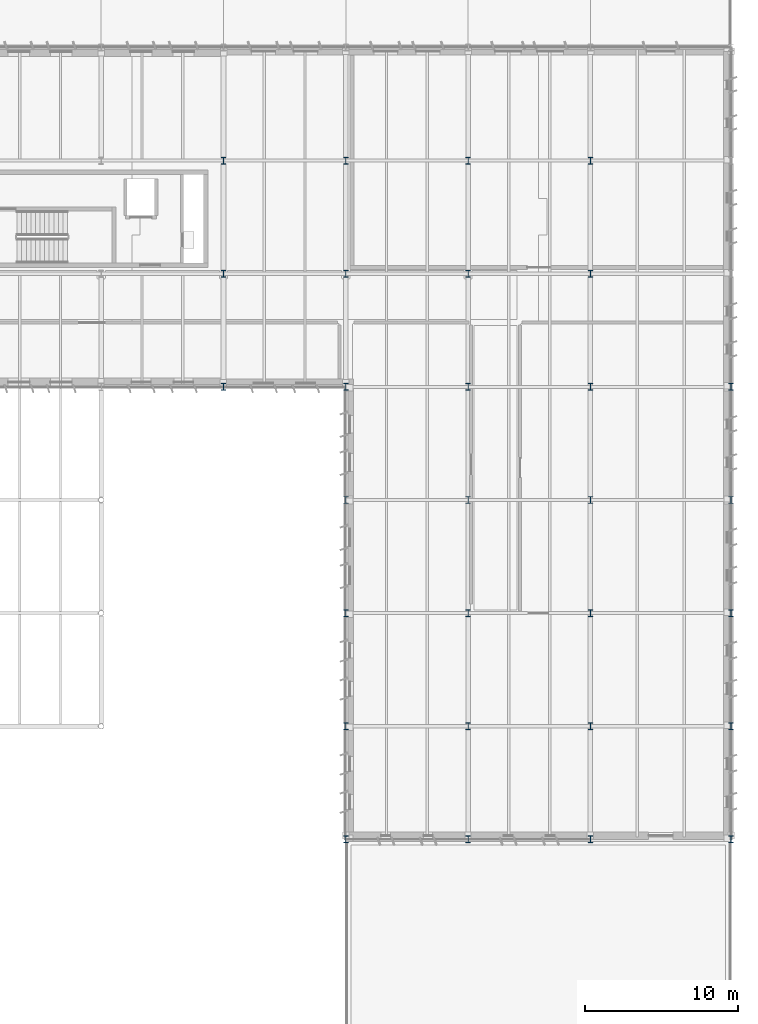
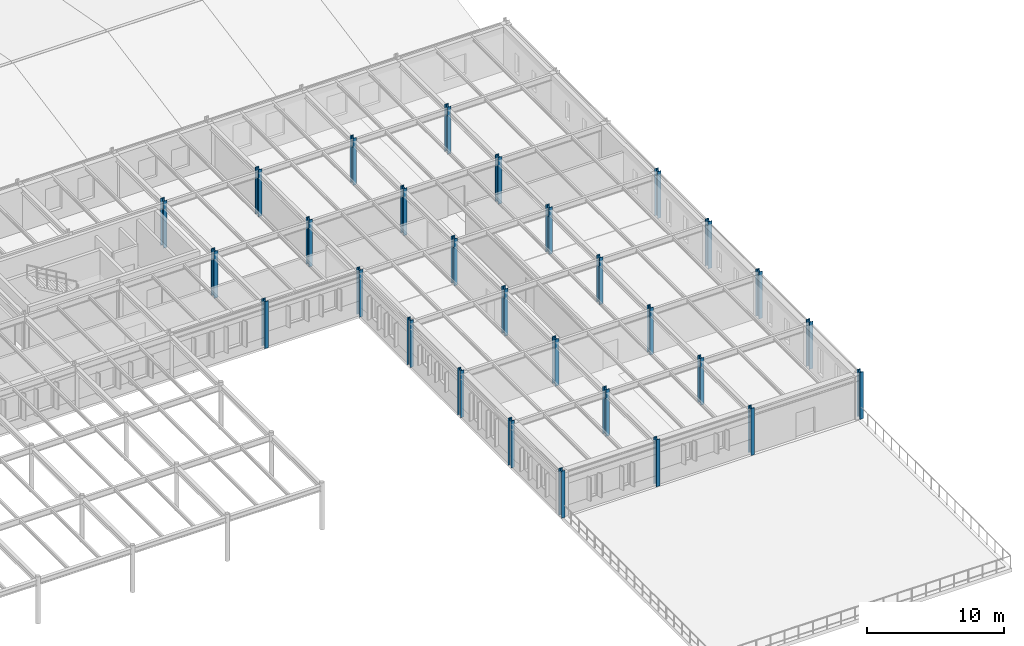
# One storey, part 9 of 63: 29 columns.
"""IFC4 building model written with IfcOpenShell, lengths in metres."""

from ifc_helpers import new_model, si_unit, direction, frame, origin, origin_2d, place, context, subcontext, project, spatial, i_section, extrude, material, material_profile, profile_set, type_object, element, save


model = new_model("IFC4")

# Units and contexts
model_context = context("Model", 3, precision=1e-05, world=origin(), true_north=direction((0.0, 1.0)))
body_context = subcontext(model_context, "Body", "Model", "MODEL_VIEW")
ifc_project = project(units=[si_unit("LENGTHUNIT", "METRE"), si_unit("AREAUNIT", "SQUARE_METRE"), si_unit("VOLUMEUNIT", "CUBIC_METRE"), si_unit("PLANEANGLEUNIT", "RADIAN"), si_unit("MASSUNIT", "GRAM", prefix="KILO")], contexts=[model_context])

# Site, building, storey
site_placement = place(None, origin())
site = spatial("IfcSite", under=ifc_project, at=site_placement, CompositionType="ELEMENT")
building_placement = place(site_placement, origin())
building = spatial("IfcBuilding", under=site, at=building_placement, Name="Valkorina Park Police Headquarters", CompositionType="ELEMENT")
storey_placement = place(building_placement, frame((0.0, 0.0, 9.89990234375)))
storey = spatial("IfcBuildingStorey", under=building, at=storey_placement, Name="L03", CompositionType="ELEMENT", Elevation=9.89990234375)

# Columns
ifc_material = material(Name="Steel S355", Category="steel")
ifc_material_profile_1 = material_profile(ifc_material, i_section(OverallWidth=0.300048828125, OverallDepth=0.449951171875, WebThickness=0.013916015625, FlangeThickness=0.02587890625, FilletRadius=0.027099609375, at=origin_2d()), Name="HEB 450")
ifc_profile_set_1 = profile_set([ifc_material_profile_1], Name="Steel S355")
column_type_1 = type_object("IfcColumnType", Name="COL-S355-HEB450-EXT", PredefinedType="COLUMN", material=ifc_profile_set_1)
for number, where, z_axis, x_axis, name in (
    (1, (128.800048828125, 59.199951171875, 0.0), (0.0, 0.0, 1.0), (1.0, 0.0, 0.0), "L03 Column 0816"),
    (2, (136.800048828125, 29.60009765625, 0.0), (0.0, 0.0, 1.0), (1.0, 0.0, 0.0), "L03 Column 0820"),
    (3, (136.800048828125, 37.0, 0.0), (0.0, 0.0, 1.0), (1.0, 0.0, 0.0), "L03 Column 0821"),
    (4, (136.800048828125, 44.39990234375, 0.0), (0.0, 0.0, 1.0), (1.0, 0.0, 0.0), "L03 Column 0822"),
    (5, (136.800048828125, 51.800048828125, 0.0), (0.0, 0.0, 1.0), (1.0, 0.0, 0.0), "L03 Column 0823"),
    (6, (136.800048828125, 59.199951171875, 0.0), (0.0, 0.0, 1.0), (1.0, 0.0, 0.0), "L03 Column 0824"),
    (7, (144.800048828125, 29.60009765625, 0.0), (0.0, 0.0, 1.0), (1.0, 0.0, 0.0), "L03 Column 0828"),
    (8, (152.800048828125, 29.60009765625, 0.0), (0.0, 0.0, 1.0), (1.0, 0.0, 0.0), "L03 Column 0836"),
    (9, (162.0, 29.60009765625, 0.0), (0.0, 0.0, 1.0), (1.0, 0.0, 0.0), "L03 Column 0844"),
    (10, (162.0, 37.0, 0.0), (0.0, 0.0, 1.0), (1.0, 0.0, 0.0), "L03 Column 0845"),
    (11, (162.0, 44.39990234375, 0.0), (0.0, 0.0, 1.0), (1.0, 0.0, 0.0), "L03 Column 0846"),
    (12, (162.0, 51.800048828125, 0.0), (0.0, 0.0, 1.0), (1.0, 0.0, 0.0), "L03 Column 0847"),
    (13, (162.0, 59.199951171875, 0.0), (0.0, 0.0, 1.0), (1.0, 0.0, 0.0), "L03 Column 0848"),
):
    element("IfcColumn", number, at=place(storey_placement, frame(where, z_axis=z_axis, x_axis=x_axis)), inside=storey, type_object=column_type_1, Name=name, PredefinedType="COLUMN", context=body_context, shape_type="SweptSolid", body=[
        extrude(i_section(OverallWidth=0.300048828125, OverallDepth=0.449951171875, WebThickness=0.013916015625, FlangeThickness=0.02587890625, FilletRadius=0.027099609375, at=origin_2d()), origin(), (0.0, 0.0, 1.0), 4.2001953125),
    ])
ifc_material_profile_2 = material_profile(ifc_material, i_section(OverallWidth=0.300048828125, OverallDepth=0.449951171875, WebThickness=0.013916015625, FlangeThickness=0.02587890625, FilletRadius=0.027099609375, at=origin_2d()), Name="HEB 450")
ifc_profile_set_2 = profile_set([ifc_material_profile_2], Name="Steel S355")
column_type_2 = type_object("IfcColumnType", Name="COL-S355-HEB450-INT", PredefinedType="COLUMN", material=ifc_profile_set_2)
for number, where, z_axis, x_axis, name in (
    (14, (128.800048828125, 66.60009765625, 0.0), (0.0, 0.0, 1.0), (1.0, 0.0, 0.0), "L03 Column 0817"),
    (15, (128.800048828125, 74.0, 0.0), (0.0, 0.0, 1.0), (1.0, 0.0, 0.0), "L03 Column 0818"),
    (16, (136.800048828125, 66.60009765625, 0.0), (0.0, 0.0, 1.0), (1.0, 0.0, 0.0), "L03 Column 0825"),
    (17, (136.800048828125, 74.0, 0.0), (0.0, 0.0, 1.0), (1.0, 0.0, 0.0), "L03 Column 0826"),
    (18, (144.800048828125, 37.0, 0.0), (0.0, 0.0, 1.0), (1.0, 0.0, 0.0), "L03 Column 0829"),
    (19, (144.800048828125, 44.39990234375, 0.0), (0.0, 0.0, 1.0), (1.0, 0.0, 0.0), "L03 Column 0830"),
    (20, (144.800048828125, 51.800048828125, 0.0), (0.0, 0.0, 1.0), (1.0, 0.0, 0.0), "L03 Column 0831"),
    (21, (144.800048828125, 59.199951171875, 0.0), (0.0, 0.0, 1.0), (1.0, 0.0, 0.0), "L03 Column 0832"),
    (22, (144.800048828125, 66.60009765625, 0.0), (0.0, 0.0, 1.0), (1.0, 0.0, 0.0), "L03 Column 0833"),
    (23, (144.800048828125, 74.0, 0.0), (0.0, 0.0, 1.0), (1.0, 0.0, 0.0), "L03 Column 0834"),
    (24, (152.800048828125, 37.0, 0.0), (0.0, 0.0, 1.0), (1.0, 0.0, 0.0), "L03 Column 0837"),
    (25, (152.800048828125, 44.39990234375, 0.0), (0.0, 0.0, 1.0), (1.0, 0.0, 0.0), "L03 Column 0838"),
    (26, (152.800048828125, 51.800048828125, 0.0), (0.0, 0.0, 1.0), (1.0, 0.0, 0.0), "L03 Column 0839"),
    (27, (152.800048828125, 59.199951171875, 0.0), (0.0, 0.0, 1.0), (1.0, 0.0, 0.0), "L03 Column 0840"),
    (28, (152.800048828125, 66.60009765625, 0.0), (0.0, 0.0, 1.0), (1.0, 0.0, 0.0), "L03 Column 0841"),
    (29, (152.800048828125, 74.0, 0.0), (0.0, 0.0, 1.0), (1.0, 0.0, 0.0), "L03 Column 0842"),
):
    element("IfcColumn", number, at=place(storey_placement, frame(where, z_axis=z_axis, x_axis=x_axis)), inside=storey, type_object=column_type_2, Name=name, PredefinedType="COLUMN", context=body_context, shape_type="SweptSolid", body=[
        extrude(i_section(OverallWidth=0.300048828125, OverallDepth=0.449951171875, WebThickness=0.013916015625, FlangeThickness=0.02587890625, FilletRadius=0.027099609375, at=origin_2d()), origin(), (0.0, 0.0, 1.0), 4.2001953125),
    ])

save(model, "model.ifc")
